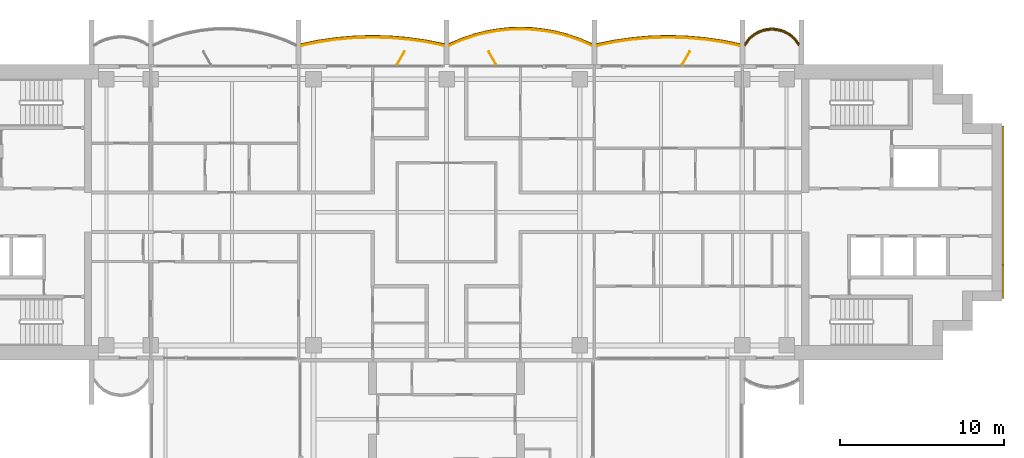
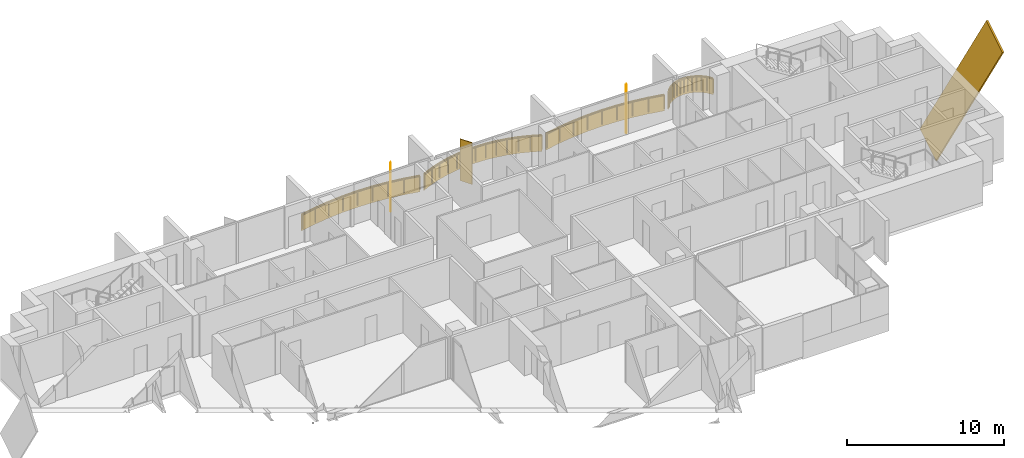
# One storey, part 17 of 17: 5 coverings, 4 railings, 3 shading devices.
"""IFC4 building model written with IfcOpenShell, lengths in metres."""

from ifc_helpers import new_model, si_unit, direction, frame, origin, origin_2d, place, context, subcontext, project, spatial, polyline, rectangle, outline, extrude, material, layer, layer_set, material_profile, profile_set, type_object, element, save


model = new_model("IFC4")

# Units and contexts
model_context = context("Model", 3, precision=1e-05, world=origin(), true_north=direction((0.0, 1.0)))
body_context = subcontext(model_context, "Body", "Model", "MODEL_VIEW")
ifc_project = project(units=[si_unit("LENGTHUNIT", "METRE"), si_unit("AREAUNIT", "SQUARE_METRE"), si_unit("VOLUMEUNIT", "CUBIC_METRE"), si_unit("PLANEANGLEUNIT", "RADIAN"), si_unit("MASSUNIT", "GRAM", prefix="KILO")], contexts=[model_context])

# Site, building, storey
site_placement = place(None, origin())
site = spatial("IfcSite", under=ifc_project, at=site_placement, CompositionType="ELEMENT")
building_placement = place(site_placement, origin())
building = spatial("IfcBuilding", under=site, at=building_placement, Name="Perihelion Cross Residences", CompositionType="ELEMENT")
storey_placement = place(building_placement, frame((0.0, 0.0, 180.60009765625)))
storey = spatial("IfcBuildingStorey", under=building, at=storey_placement, Name="L44", CompositionType="ELEMENT", Elevation=180.60009765625)

# Coverings
ifc_material_1 = material(Name="Bronze anodised aluminium", Category="aluminium")
ifc_layer_1 = layer(ifc_material_1, 0.070068359375)
ifc_layer_set_1 = layer_set([ifc_layer_1], Name="Balcony fascia 1300")
covering_type_1 = type_object("IfcCoveringType", Name="Balcony fascia 1300", PredefinedType="CLADDING", material=ifc_layer_set_1)
covering_1_placement = place(storey_placement, frame((0.0, 0.0, -0.2001953125)))
element("IfcCovering", 1, at=covering_1_placement, inside=storey, type_object=covering_type_1, Name="Fascia BF1 L44 east side north bay 1", PredefinedType="CLADDING", context=body_context, shape_type="SweptSolid", body=[
    extrude(outline(polyline([(21.226318359375, 10.616455078125), (20.94091796875, 10.86328125), (20.655517578125, 11.031494140625), (20.370361328125, 11.142578125), (20.085205078125, 11.206298828125), (19.800048828125, 11.22705078125), (19.514892578125, 11.206298828125), (19.229736328125, 11.142578125), (18.9443359375, 11.031494140625), (18.6591796875, 10.86328125), (18.373779296875, 10.616455078125), (18.14990234375, 10.31689453125), (18.14990234375, 10.199951171875), (18.425048828125, 10.568603515625), (18.699951171875, 10.806396484375), (18.97509765625, 10.96875), (19.25, 11.07568359375), (19.52490234375, 11.136962890625), (19.800048828125, 11.156982421875), (20.074951171875, 11.136962890625), (20.35009765625, 11.07568359375), (20.625, 10.96875), (20.89990234375, 10.806396484375), (21.175048828125, 10.568603515625), (21.449951171875, 10.199951171875), (21.449951171875, 10.31689453125), (21.226318359375, 10.616455078125)])), origin(), (0.0, 0.0, 1.0), 1.300048828125),
])
covering_2_placement = place(storey_placement, frame((0.0, 0.0, -0.2001953125)))
element("IfcCovering", 2, at=covering_2_placement, inside=storey, type_object=covering_type_1, Name="Fascia BF1 L44 east side north bay 2", PredefinedType="CLADDING", context=body_context, shape_type="SweptSolid", body=[
    extrude(outline(polyline([(16.7744140625, 10.4892578125), (15.682861328125, 10.645751953125), (14.591552734375, 10.739013671875), (13.5, 10.77001953125), (12.408447265625, 10.739013671875), (11.317138671875, 10.645751953125), (10.2255859375, 10.4892578125), (9.14990234375, 10.271484375), (9.14990234375, 10.199951171875), (10.237548828125, 10.42041015625), (11.324951171875, 10.576171875), (12.41259765625, 10.669189453125), (13.5, 10.699951171875), (14.58740234375, 10.669189453125), (15.675048828125, 10.576171875), (16.762451171875, 10.42041015625), (17.85009765625, 10.199951171875), (17.85009765625, 10.271484375), (16.7744140625, 10.4892578125)])), origin(), (0.0, 0.0, 1.0), 1.300048828125),
])
covering_3_placement = place(storey_placement, frame((0.0, 0.0, -0.2001953125)))
element("IfcCovering", 3, at=covering_3_placement, inside=storey, type_object=covering_type_1, Name="Fascia BF1 L44 north side east bay 1", PredefinedType="CLADDING", context=body_context, shape_type="SweptSolid", body=[
    extrude(outline(polyline([(8.150634765625, 10.582275390625), (7.42041015625, 10.83544921875), (6.690185546875, 11.028076171875), (5.960205078125, 11.1630859375), (5.22998046875, 11.243408203125), (4.5, 11.27001953125), (3.77001953125, 11.243408203125), (3.039794921875, 11.1630859375), (2.309814453125, 11.028076171875), (1.57958984375, 10.83544921875), (0.849365234375, 10.582275390625), (0.14990234375, 10.2763671875), (0.14990234375, 10.199951171875), (0.875, 10.51708984375), (1.60009765625, 10.7685546875), (2.324951171875, 10.959716796875), (3.050048828125, 11.093994140625), (3.77490234375, 11.173583984375), (4.5, 11.199951171875), (5.22509765625, 11.173583984375), (5.949951171875, 11.093994140625), (6.675048828125, 10.959716796875), (7.39990234375, 10.7685546875), (8.125, 10.51708984375), (8.85009765625, 10.199951171875), (8.85009765625, 10.2763671875), (8.150634765625, 10.582275390625)])), origin(), (0.0, 0.0, 1.0), 1.300048828125),
])
covering_4_placement = place(storey_placement, frame((0.0, 0.0, -0.2001953125)))
element("IfcCovering", 4, at=covering_4_placement, inside=storey, type_object=covering_type_1, Name="Fascia BF1 L44 north side east bay 2", PredefinedType="CLADDING", context=body_context, shape_type="SweptSolid", body=[
    extrude(outline(polyline([(-1.2255859375, 10.4892578125), (-2.317138671875, 10.645751953125), (-3.408447265625, 10.739013671875), (-4.5, 10.77001953125), (-5.591552734375, 10.739013671875), (-6.682861328125, 10.645751953125), (-7.7744140625, 10.4892578125), (-8.85009765625, 10.271484375), (-8.85009765625, 10.199951171875), (-7.762451171875, 10.42041015625), (-6.675048828125, 10.576171875), (-5.58740234375, 10.669189453125), (-4.5, 10.699951171875), (-3.41259765625, 10.669189453125), (-2.324951171875, 10.576171875), (-1.237548828125, 10.42041015625), (-0.14990234375, 10.199951171875), (-0.14990234375, 10.271484375), (-1.2255859375, 10.4892578125)])), origin(), (0.0, 0.0, 1.0), 1.300048828125),
])

# Railings
ifc_material_2 = material(Name="Bronze anodised aluminium", Category="aluminium")
railing_type = type_object("IfcRailingType", Name="Balcony guard 1100", PredefinedType="GUARDRAIL", material=ifc_material_2)
railing_1_placement = place(storey_placement, frame((21.425048828125, 10.139892578125, 0.0)))
element("IfcRailing", 5, at=railing_1_placement, inside=storey, type_object=railing_type, Name="Guard GU1 L44 east side north bay 1 balcony", PredefinedType="GUARDRAIL", context=body_context, shape_type="SweptSolid", body=[
    extrude(rectangle(XDim=0.048095703125, YDim=0.048095703125, at=origin_2d()), frame((0.0, 0.0, 1.076171875), z_axis=(-0.561260132269, 0.827639452857, 0.0), x_axis=(-0.827639452857, -0.561260132269, 0.0)), (0.0, 0.0, 1.0), 0.4453125),
    extrude(rectangle(XDim=0.048095703125, YDim=0.048095703125, at=origin_2d()), frame((-0.25, 0.36865234375, 1.076171875), z_axis=(-0.756596535164, 0.653882009982, 0.0), x_axis=(-0.653882009982, -0.756596535164, 0.0)), (0.0, 0.0, 1.0), 0.36376953125),
    extrude(rectangle(XDim=0.048095703125, YDim=0.048095703125, at=origin_2d()), frame((-0.525146484375, 0.6064453125, 1.076171875), z_axis=(-0.861048292884, 0.508523192511, 0.0), x_axis=(-0.508523192511, -0.861048292884, 0.0)), (0.0, 0.0, 1.0), 0.3193359375),
    extrude(rectangle(XDim=0.048095703125, YDim=0.048095703125, at=origin_2d()), frame((-0.800048828125, 0.768798828125, 1.076171875), z_axis=(-0.931973602183, 0.362526143656, 0.0), x_axis=(-0.362526143656, -0.931973602183, 0.0)), (0.0, 0.0, 1.0), 0.294921875),
    extrude(rectangle(XDim=0.048095703125, YDim=0.048095703125, at=origin_2d()), frame((-1.074951171875, 0.875732421875, 1.076171875), z_axis=(-0.976085059389, 0.21738895289, 0.0), x_axis=(-0.21738895289, -0.976085059389, 0.0)), (0.0, 0.0, 1.0), 0.281982421875),
    extrude(rectangle(XDim=0.048095703125, YDim=0.048095703125, at=origin_2d()), frame((-1.35009765625, 0.93701171875, 1.076171875), z_axis=(-0.997358821833, 0.072631814734, 0.0), x_axis=(-0.072631814734, -0.997358821833, 0.0)), (0.0, 0.0, 1.0), 0.275634765625),
    extrude(rectangle(XDim=0.048095703125, YDim=0.048095703125, at=origin_2d()), frame((-1.625, 0.95703125, 1.076171875), z_axis=(-0.997363488337, -0.072567707226, 0.0), x_axis=(0.072567707226, -0.997363488337, 0.0)), (0.0, 0.0, 1.0), 0.27587890625),
    extrude(rectangle(XDim=0.048095703125, YDim=0.048095703125, at=origin_2d()), frame((-1.900146484375, 0.93701171875, 1.076171875), z_axis=(-0.976044077717, -0.217572880557, 0.0), x_axis=(0.217572880557, -0.976044077717, 0.0)), (0.0, 0.0, 1.0), 0.28173828125),
    extrude(rectangle(XDim=0.048095703125, YDim=0.048095703125, at=origin_2d()), frame((-2.175048828125, 0.875732421875, 1.076171875), z_axis=(-0.931973602183, -0.362526143656, 0.0), x_axis=(0.362526143656, -0.931973602183, 0.0)), (0.0, 0.0, 1.0), 0.294921875),
    extrude(rectangle(XDim=0.048095703125, YDim=0.048095703125, at=origin_2d()), frame((-2.449951171875, 0.768798828125, 1.076171875), z_axis=(-0.861245845072, -0.508188542123, 0.0), x_axis=(0.508188542123, -0.861245845072, 0.0)), (0.0, 0.0, 1.0), 0.319580078125),
    extrude(rectangle(XDim=0.048095703125, YDim=0.048095703125, at=origin_2d()), frame((-2.72509765625, 0.6064453125, 1.076171875), z_axis=(-0.756309278473, -0.654214242658, 0.0), x_axis=(0.654214242658, -0.756309278473, 0.0)), (0.0, 0.0, 1.0), 0.363525390625),
    extrude(rectangle(XDim=0.048095703125, YDim=0.048095703125, at=origin_2d()), frame((-3.0, 0.36865234375, 1.076171875), z_axis=(-0.561260132269, -0.827639452857, 0.0), x_axis=(0.827639452857, -0.561260132269, 0.0)), (0.0, 0.0, 1.0), 0.4453125),
    extrude(rectangle(XDim=0.0419921875, YDim=0.0419921875, at=origin_2d()), origin(), (0.0, 0.0, 1.0), 1.052001953125),
    extrude(rectangle(XDim=0.0419921875, YDim=0.0419921875, at=origin_2d()), frame((-0.25, 0.36865234375, 0.0)), (0.0, 0.0, 1.0), 1.052001953125),
    extrude(rectangle(XDim=0.0419921875, YDim=0.0419921875, at=origin_2d()), frame((-0.525146484375, 0.6064453125, 0.0)), (0.0, 0.0, 1.0), 1.052001953125),
    extrude(rectangle(XDim=0.0419921875, YDim=0.0419921875, at=origin_2d()), frame((-0.800048828125, 0.768798828125, 0.0)), (0.0, 0.0, 1.0), 1.052001953125),
    extrude(rectangle(XDim=0.0419921875, YDim=0.0419921875, at=origin_2d()), frame((-1.074951171875, 0.875732421875, 0.0)), (0.0, 0.0, 1.0), 1.052001953125),
    extrude(rectangle(XDim=0.0419921875, YDim=0.0419921875, at=origin_2d()), frame((-1.35009765625, 0.93701171875, 0.0)), (0.0, 0.0, 1.0), 1.052001953125),
    extrude(rectangle(XDim=0.0419921875, YDim=0.0419921875, at=origin_2d()), frame((-1.625, 0.95703125, 0.0)), (0.0, 0.0, 1.0), 1.052001953125),
    extrude(rectangle(XDim=0.0419921875, YDim=0.0419921875, at=origin_2d()), frame((-1.900146484375, 0.93701171875, 0.0)), (0.0, 0.0, 1.0), 1.052001953125),
    extrude(rectangle(XDim=0.0419921875, YDim=0.0419921875, at=origin_2d()), frame((-2.175048828125, 0.875732421875, 0.0)), (0.0, 0.0, 1.0), 1.052001953125),
    extrude(rectangle(XDim=0.0419921875, YDim=0.0419921875, at=origin_2d()), frame((-2.449951171875, 0.768798828125, 0.0)), (0.0, 0.0, 1.0), 1.052001953125),
    extrude(rectangle(XDim=0.0419921875, YDim=0.0419921875, at=origin_2d()), frame((-2.72509765625, 0.6064453125, 0.0)), (0.0, 0.0, 1.0), 1.052001953125),
    extrude(rectangle(XDim=0.0419921875, YDim=0.0419921875, at=origin_2d()), frame((-3.0, 0.36865234375, 0.0)), (0.0, 0.0, 1.0), 1.052001953125),
    extrude(rectangle(XDim=0.0419921875, YDim=0.0419921875, at=origin_2d()), frame((-3.25, 0.0, 0.0)), (0.0, 0.0, 1.0), 1.052001953125),
])
railing_2_placement = place(storey_placement, frame((17.824951171875, 10.139892578125, 0.0)))
element("IfcRailing", 6, at=railing_2_placement, inside=storey, type_object=railing_type, Name="Guard GU1 L44 east side north bay 2 balcony", PredefinedType="GUARDRAIL", context=body_context, shape_type="SweptSolid", body=[
    extrude(rectangle(XDim=0.048095703125, YDim=0.048095703125, at=origin_2d()), frame((0.0, 0.0, 1.076171875), z_axis=(-0.979144816647, 0.203163549961, 0.0), x_axis=(-0.203163549961, -0.979144816647, 0.0)), (0.0, 0.0, 1.0), 1.085205078125),
    extrude(rectangle(XDim=0.048095703125, YDim=0.048095703125, at=origin_2d()), frame((-1.0625, 0.220458984375, 1.076171875), z_axis=(-0.98989608354, 0.141794724135, 0.0), x_axis=(-0.141794724135, -0.98989608354, 0.0)), (0.0, 0.0, 1.0), 1.098388671875),
    extrude(rectangle(XDim=0.048095703125, YDim=0.048095703125, at=origin_2d()), frame((-2.14990234375, 0.376220703125, 1.076171875), z_axis=(-0.996362942492, 0.085210837506, 0.0), x_axis=(-0.085210837506, -0.996362942492, 0.0)), (0.0, 0.0, 1.0), 1.091552734375),
    extrude(rectangle(XDim=0.048095703125, YDim=0.048095703125, at=origin_2d()), frame((-3.237548828125, 0.46923828125, 1.076171875), z_axis=(-0.999600101203, 0.028277865458, 0.0), x_axis=(-0.028277865458, -0.999600101203, 0.0)), (0.0, 0.0, 1.0), 1.087890625),
    extrude(rectangle(XDim=0.048095703125, YDim=0.048095703125, at=origin_2d()), frame((-4.324951171875, 0.5, 1.076171875), z_axis=(-0.999600101203, -0.028277865458, 0.0), x_axis=(0.028277865458, -0.999600101203, 0.0)), (0.0, 0.0, 1.0), 1.087890625),
    extrude(rectangle(XDim=0.048095703125, YDim=0.048095703125, at=origin_2d()), frame((-5.412353515625, 0.46923828125, 1.076171875), z_axis=(-0.996362942492, -0.085210837506, 0.0), x_axis=(0.085210837506, -0.996362942492, 0.0)), (0.0, 0.0, 1.0), 1.091552734375),
    extrude(rectangle(XDim=0.048095703125, YDim=0.048095703125, at=origin_2d()), frame((-6.5, 0.376220703125, 1.076171875), z_axis=(-0.98989608354, -0.141794724135, 0.0), x_axis=(0.141794724135, -0.98989608354, 0.0)), (0.0, 0.0, 1.0), 1.098388671875),
    extrude(rectangle(XDim=0.048095703125, YDim=0.048095703125, at=origin_2d()), frame((-7.58740234375, 0.220458984375, 1.076171875), z_axis=(-0.979144816647, -0.203163549961, 0.0), x_axis=(0.203163549961, -0.979144816647, 0.0)), (0.0, 0.0, 1.0), 1.085205078125),
    extrude(rectangle(XDim=0.0419921875, YDim=0.0419921875, at=origin_2d()), origin(), (0.0, 0.0, 1.0), 1.052001953125),
    extrude(rectangle(XDim=0.0419921875, YDim=0.0419921875, at=origin_2d()), frame((-1.0625, 0.220458984375, 0.0)), (0.0, 0.0, 1.0), 1.052001953125),
    extrude(rectangle(XDim=0.0419921875, YDim=0.0419921875, at=origin_2d()), frame((-2.14990234375, 0.376220703125, 0.0)), (0.0, 0.0, 1.0), 1.052001953125),
    extrude(rectangle(XDim=0.0419921875, YDim=0.0419921875, at=origin_2d()), frame((-3.237548828125, 0.46923828125, 0.0)), (0.0, 0.0, 1.0), 1.052001953125),
    extrude(rectangle(XDim=0.0419921875, YDim=0.0419921875, at=origin_2d()), frame((-4.324951171875, 0.5, 0.0)), (0.0, 0.0, 1.0), 1.052001953125),
    extrude(rectangle(XDim=0.0419921875, YDim=0.0419921875, at=origin_2d()), frame((-5.412353515625, 0.46923828125, 0.0)), (0.0, 0.0, 1.0), 1.052001953125),
    extrude(rectangle(XDim=0.0419921875, YDim=0.0419921875, at=origin_2d()), frame((-6.5, 0.376220703125, 0.0)), (0.0, 0.0, 1.0), 1.052001953125),
    extrude(rectangle(XDim=0.0419921875, YDim=0.0419921875, at=origin_2d()), frame((-7.58740234375, 0.220458984375, 0.0)), (0.0, 0.0, 1.0), 1.052001953125),
    extrude(rectangle(XDim=0.0419921875, YDim=0.0419921875, at=origin_2d()), frame((-8.64990234375, 0.0, 0.0)), (0.0, 0.0, 1.0), 1.052001953125),
])
railing_3_placement = place(storey_placement, frame((8.824951171875, 10.139892578125, 0.0)))
element("IfcRailing", 7, at=railing_3_placement, inside=storey, type_object=railing_type, Name="Guard GU1 L44 north side east bay 1 balcony", PredefinedType="GUARDRAIL", context=body_context, shape_type="SweptSolid", body=[
    extrude(rectangle(XDim=0.048095703125, YDim=0.048095703125, at=origin_2d()), frame((0.0, 0.0, 1.076171875), z_axis=(-0.910866309087, 0.412701547089, 0.0), x_axis=(-0.412701547089, -0.910866309087, 0.0)), (0.0, 0.0, 1.0), 0.7685546875),
    extrude(rectangle(XDim=0.048095703125, YDim=0.048095703125, at=origin_2d()), frame((-0.699951171875, 0.317138671875, 1.076171875), z_axis=(-0.944796812452, 0.327656807012, 0.0), x_axis=(-0.327656807012, -0.944796812452, 0.0)), (0.0, 0.0, 1.0), 0.767578125),
    extrude(rectangle(XDim=0.048095703125, YDim=0.048095703125, at=origin_2d()), frame((-1.425048828125, 0.568603515625, 1.076171875), z_axis=(-0.966939404945, 0.255006249266, 0.0), x_axis=(-0.255006249266, -0.966939404945, 0.0)), (0.0, 0.0, 1.0), 0.749755859375),
    extrude(rectangle(XDim=0.048095703125, YDim=0.048095703125, at=origin_2d()), frame((-2.14990234375, 0.759765625, 1.076171875), z_axis=(-0.983282004984, 0.182089260182, 0.0), x_axis=(-0.182089260182, -0.983282004984, 0.0)), (0.0, 0.0, 1.0), 0.7373046875),
    extrude(rectangle(XDim=0.048095703125, YDim=0.048095703125, at=origin_2d()), frame((-2.875, 0.89404296875, 1.076171875), z_axis=(-0.994025805622, 0.109145305703, 0.0), x_axis=(-0.109145305703, -0.994025805622, 0.0)), (0.0, 0.0, 1.0), 0.729248046875),
    extrude(rectangle(XDim=0.048095703125, YDim=0.048095703125, at=origin_2d()), frame((-3.599853515625, 0.9736328125, 1.076171875), z_axis=(-0.999339497946, 0.036339618107, 0.0), x_axis=(-0.036339618107, -0.999339497946, 0.0)), (0.0, 0.0, 1.0), 0.7255859375),
    extrude(rectangle(XDim=0.048095703125, YDim=0.048095703125, at=origin_2d()), frame((-4.324951171875, 1.0, 1.076171875), z_axis=(-0.999339497946, -0.036339618107, 0.0), x_axis=(0.036339618107, -0.999339497946, 0.0)), (0.0, 0.0, 1.0), 0.7255859375),
    extrude(rectangle(XDim=0.048095703125, YDim=0.048095703125, at=origin_2d()), frame((-5.050048828125, 0.9736328125, 1.076171875), z_axis=(-0.994025805622, -0.109145305703, 0.0), x_axis=(0.109145305703, -0.994025805622, 0.0)), (0.0, 0.0, 1.0), 0.729248046875),
    extrude(rectangle(XDim=0.048095703125, YDim=0.048095703125, at=origin_2d()), frame((-5.77490234375, 0.89404296875, 1.076171875), z_axis=(-0.983282004984, -0.182089260182, 0.0), x_axis=(0.182089260182, -0.983282004984, 0.0)), (0.0, 0.0, 1.0), 0.7373046875),
    extrude(rectangle(XDim=0.048095703125, YDim=0.048095703125, at=origin_2d()), frame((-6.5, 0.759765625, 1.076171875), z_axis=(-0.966939404945, -0.255006249266, 0.0), x_axis=(0.255006249266, -0.966939404945, 0.0)), (0.0, 0.0, 1.0), 0.749755859375),
    extrude(rectangle(XDim=0.048095703125, YDim=0.048095703125, at=origin_2d()), frame((-7.224853515625, 0.568603515625, 1.076171875), z_axis=(-0.944796812452, -0.327656807012, 0.0), x_axis=(0.327656807012, -0.944796812452, 0.0)), (0.0, 0.0, 1.0), 0.767578125),
    extrude(rectangle(XDim=0.048095703125, YDim=0.048095703125, at=origin_2d()), frame((-7.949951171875, 0.317138671875, 1.076171875), z_axis=(-0.910866309087, -0.412701547089, 0.0), x_axis=(0.412701547089, -0.910866309087, 0.0)), (0.0, 0.0, 1.0), 0.7685546875),
    extrude(rectangle(XDim=0.0419921875, YDim=0.0419921875, at=origin_2d()), origin(), (0.0, 0.0, 1.0), 1.052001953125),
    extrude(rectangle(XDim=0.0419921875, YDim=0.0419921875, at=origin_2d()), frame((-0.699951171875, 0.317138671875, 0.0)), (0.0, 0.0, 1.0), 1.052001953125),
    extrude(rectangle(XDim=0.0419921875, YDim=0.0419921875, at=origin_2d()), frame((-1.425048828125, 0.568603515625, 0.0)), (0.0, 0.0, 1.0), 1.052001953125),
    extrude(rectangle(XDim=0.0419921875, YDim=0.0419921875, at=origin_2d()), frame((-2.14990234375, 0.759765625, 0.0)), (0.0, 0.0, 1.0), 1.052001953125),
    extrude(rectangle(XDim=0.0419921875, YDim=0.0419921875, at=origin_2d()), frame((-2.875, 0.89404296875, 0.0)), (0.0, 0.0, 1.0), 1.052001953125),
    extrude(rectangle(XDim=0.0419921875, YDim=0.0419921875, at=origin_2d()), frame((-3.599853515625, 0.9736328125, 0.0)), (0.0, 0.0, 1.0), 1.052001953125),
    extrude(rectangle(XDim=0.0419921875, YDim=0.0419921875, at=origin_2d()), frame((-4.324951171875, 1.0, 0.0)), (0.0, 0.0, 1.0), 1.052001953125),
    extrude(rectangle(XDim=0.0419921875, YDim=0.0419921875, at=origin_2d()), frame((-5.050048828125, 0.9736328125, 0.0)), (0.0, 0.0, 1.0), 1.052001953125),
    extrude(rectangle(XDim=0.0419921875, YDim=0.0419921875, at=origin_2d()), frame((-5.77490234375, 0.89404296875, 0.0)), (0.0, 0.0, 1.0), 1.052001953125),
    extrude(rectangle(XDim=0.0419921875, YDim=0.0419921875, at=origin_2d()), frame((-6.5, 0.759765625, 0.0)), (0.0, 0.0, 1.0), 1.052001953125),
    extrude(rectangle(XDim=0.0419921875, YDim=0.0419921875, at=origin_2d()), frame((-7.224853515625, 0.568603515625, 0.0)), (0.0, 0.0, 1.0), 1.052001953125),
    extrude(rectangle(XDim=0.0419921875, YDim=0.0419921875, at=origin_2d()), frame((-7.949951171875, 0.317138671875, 0.0)), (0.0, 0.0, 1.0), 1.052001953125),
    extrude(rectangle(XDim=0.0419921875, YDim=0.0419921875, at=origin_2d()), frame((-8.64990234375, 0.0, 0.0)), (0.0, 0.0, 1.0), 1.052001953125),
])
railing_4_placement = place(storey_placement, frame((-0.175048828125, 10.139892578125, 0.0)))
element("IfcRailing", 8, at=railing_4_placement, inside=storey, type_object=railing_type, Name="Guard GU1 L44 north side east bay 2 balcony", PredefinedType="GUARDRAIL", context=body_context, shape_type="SweptSolid", body=[
    extrude(rectangle(XDim=0.048095703125, YDim=0.048095703125, at=origin_2d()), frame((0.0, 0.0, 1.076171875), z_axis=(-0.979144816647, 0.203163549961, 0.0), x_axis=(-0.203163549961, -0.979144816647, 0.0)), (0.0, 0.0, 1.0), 1.085205078125),
    extrude(rectangle(XDim=0.048095703125, YDim=0.048095703125, at=origin_2d()), frame((-1.0625, 0.220458984375, 1.076171875), z_axis=(-0.98989608354, 0.141794724135, 0.0), x_axis=(-0.141794724135, -0.98989608354, 0.0)), (0.0, 0.0, 1.0), 1.098388671875),
    extrude(rectangle(XDim=0.048095703125, YDim=0.048095703125, at=origin_2d()), frame((-2.14990234375, 0.376220703125, 1.076171875), z_axis=(-0.996362942492, 0.085210837506, 0.0), x_axis=(-0.085210837506, -0.996362942492, 0.0)), (0.0, 0.0, 1.0), 1.091552734375),
    extrude(rectangle(XDim=0.048095703125, YDim=0.048095703125, at=origin_2d()), frame((-3.237548828125, 0.46923828125, 1.076171875), z_axis=(-0.999600101203, 0.028277865458, 0.0), x_axis=(-0.028277865458, -0.999600101203, 0.0)), (0.0, 0.0, 1.0), 1.087890625),
    extrude(rectangle(XDim=0.048095703125, YDim=0.048095703125, at=origin_2d()), frame((-4.324951171875, 0.5, 1.076171875), z_axis=(-0.999600101203, -0.028277865458, 0.0), x_axis=(0.028277865458, -0.999600101203, 0.0)), (0.0, 0.0, 1.0), 1.087890625),
    extrude(rectangle(XDim=0.048095703125, YDim=0.048095703125, at=origin_2d()), frame((-5.412353515625, 0.46923828125, 1.076171875), z_axis=(-0.996362942492, -0.085210837506, 0.0), x_axis=(0.085210837506, -0.996362942492, 0.0)), (0.0, 0.0, 1.0), 1.091552734375),
    extrude(rectangle(XDim=0.048095703125, YDim=0.048095703125, at=origin_2d()), frame((-6.5, 0.376220703125, 1.076171875), z_axis=(-0.98989608354, -0.141794724135, 0.0), x_axis=(0.141794724135, -0.98989608354, 0.0)), (0.0, 0.0, 1.0), 1.098388671875),
    extrude(rectangle(XDim=0.048095703125, YDim=0.048095703125, at=origin_2d()), frame((-7.58740234375, 0.220458984375, 1.076171875), z_axis=(-0.979144816647, -0.203163549961, 0.0), x_axis=(0.203163549961, -0.979144816647, 0.0)), (0.0, 0.0, 1.0), 1.085205078125),
    extrude(rectangle(XDim=0.0419921875, YDim=0.0419921875, at=origin_2d()), origin(), (0.0, 0.0, 1.0), 1.052001953125),
    extrude(rectangle(XDim=0.0419921875, YDim=0.0419921875, at=origin_2d()), frame((-1.0625, 0.220458984375, 0.0)), (0.0, 0.0, 1.0), 1.052001953125),
    extrude(rectangle(XDim=0.0419921875, YDim=0.0419921875, at=origin_2d()), frame((-2.14990234375, 0.376220703125, 0.0)), (0.0, 0.0, 1.0), 1.052001953125),
    extrude(rectangle(XDim=0.0419921875, YDim=0.0419921875, at=origin_2d()), frame((-3.237548828125, 0.46923828125, 0.0)), (0.0, 0.0, 1.0), 1.052001953125),
    extrude(rectangle(XDim=0.0419921875, YDim=0.0419921875, at=origin_2d()), frame((-4.324951171875, 0.5, 0.0)), (0.0, 0.0, 1.0), 1.052001953125),
    extrude(rectangle(XDim=0.0419921875, YDim=0.0419921875, at=origin_2d()), frame((-5.412353515625, 0.46923828125, 0.0)), (0.0, 0.0, 1.0), 1.052001953125),
    extrude(rectangle(XDim=0.0419921875, YDim=0.0419921875, at=origin_2d()), frame((-6.5, 0.376220703125, 0.0)), (0.0, 0.0, 1.0), 1.052001953125),
    extrude(rectangle(XDim=0.0419921875, YDim=0.0419921875, at=origin_2d()), frame((-7.58740234375, 0.220458984375, 0.0)), (0.0, 0.0, 1.0), 1.052001953125),
    extrude(rectangle(XDim=0.0419921875, YDim=0.0419921875, at=origin_2d()), frame((-8.64990234375, 0.0, 0.0)), (0.0, 0.0, 1.0), 1.052001953125),
])

# Covering
ifc_material_3 = material(Name="Bronze anodised aluminium", Category="aluminium")
ifc_material_profile = material_profile(ifc_material_3, rectangle(XDim=0.125, YDim=2.39990234375, at=origin_2d()), Name="Bronze cladding band 2400")
ifc_profile_set = profile_set([ifc_material_profile], Name="Bronze anodised aluminium")
covering_type_2 = type_object("IfcCoveringType", Name="Bronze cladding band 2400", PredefinedType="CLADDING", material=ifc_profile_set)
covering_5_placement = place(storey_placement, frame((33.862548828125, 4.232421875, -4.80126953125), z_axis=(0.0, -0.529924750763, 0.848044667767), x_axis=(1.0, 0.0, 0.0)))
element("IfcCovering", 9, at=covering_5_placement, inside=storey, type_object=covering_type_2, Name="Core cladding band, east core", PredefinedType="CLADDING", context=body_context, shape_type="SweptSolid", body=[
    extrude(rectangle(XDim=0.125, YDim=2.39990234375, at=origin_2d()), origin(), (0.0, 0.0, 1.0), 15.9736328125),
])

# Shading devices
ifc_material_4 = material(Name="Bronze anodised aluminium", Category="aluminium")
ifc_layer_2 = layer(ifc_material_4, 0.050048828125)
ifc_layer_set_2 = layer_set([ifc_layer_2], Name="Bronze fin 900")
shading_device_type = type_object("IfcShadingDeviceType", Name="Bronze fin 900", PredefinedType="USERDEFINED", material=ifc_layer_set_2)
for number, where, z_axis, x_axis, name in (
    (10, (14.574951171875, 9.3896484375, 0.0), (0.0, 0.0, 1.0), (0.5, 0.866025403784, 0.0), "Fin FN1 L44 east side north bay 2"),
    (11, (2.78759765625, 9.3896484375, 0.0), (0.0, 0.0, 1.0), (-0.5, 0.866025403784, 0.0), "Fin FN1 L44 north side east bay 1"),
    (12, (-2.78759765625, 9.3896484375, 0.0), (0.0, 0.0, 1.0), (0.5, 0.866025403784, 0.0), "Fin FN1 L44 north side east bay 2"),
):
    element("IfcShadingDevice", number, at=place(storey_placement, frame(where, z_axis=z_axis, x_axis=x_axis)), inside=storey, type_object=shading_device_type, Name=name, ObjectType="FIN", PredefinedType="USERDEFINED", context=body_context, shape_type="SweptSolid", body=[
        extrude(rectangle(XDim=0.89990234375, YDim=0.050048828125, at=origin_2d()), origin(), (0.0, 0.0, 1.0), 3.25),
    ])

save(model, "model.ifc")
